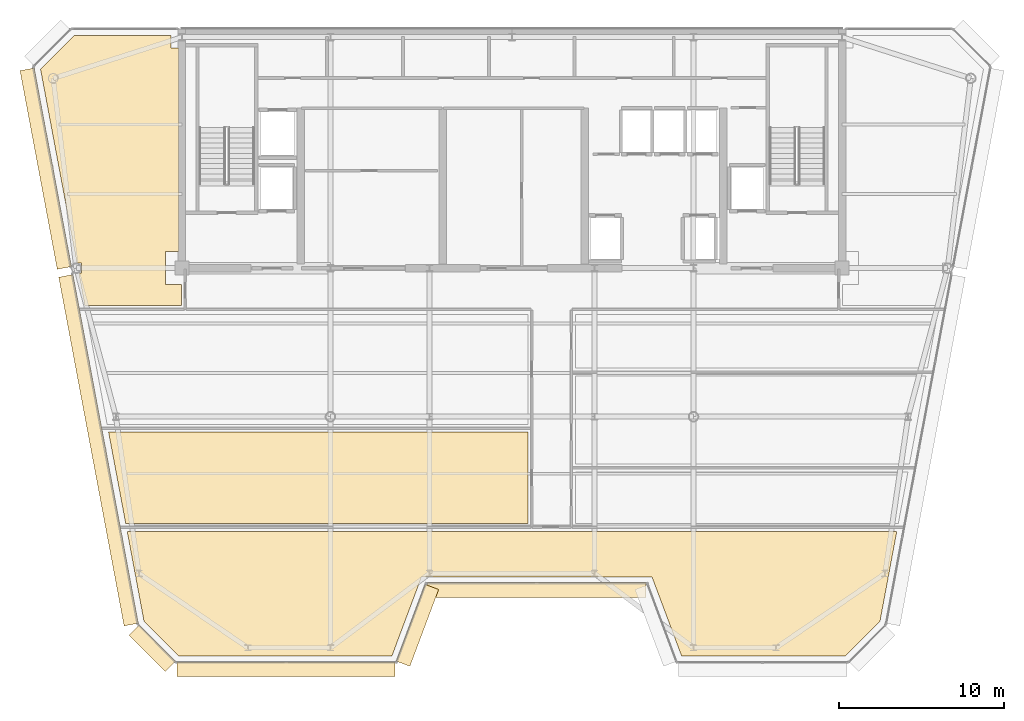
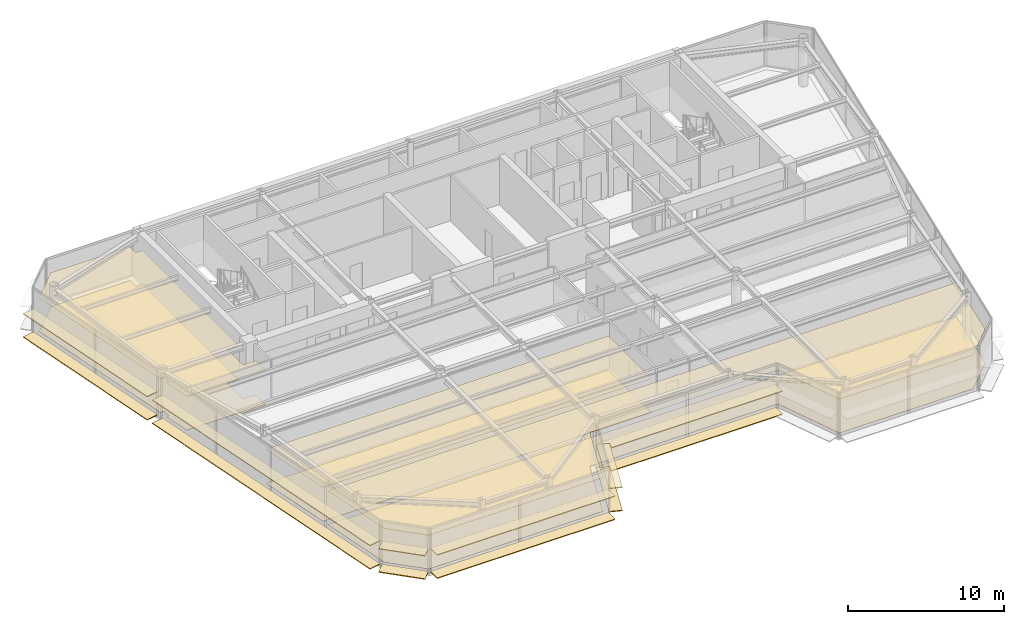
# One storey, part 14 of 20: 18 coverings.
"""IFC4 building model written with IfcOpenShell, lengths in metres."""

from ifc_helpers import new_model, si_unit, direction, frame, origin, origin_2d, place, context, subcontext, project, spatial, polyline, rectangle, outline, extrude, source, transform, mapped, material, layer, layer_set, type_object, element, save


model = new_model("IFC4")

# Units and contexts
model_context = context("Model", 3, precision=1e-05, world=origin(), true_north=direction((0.0, 1.0)))
body_context = subcontext(model_context, "Body", "Model", "MODEL_VIEW")
ifc_project = project(units=[si_unit("LENGTHUNIT", "METRE"), si_unit("AREAUNIT", "SQUARE_METRE"), si_unit("VOLUMEUNIT", "CUBIC_METRE"), si_unit("PLANEANGLEUNIT", "RADIAN"), si_unit("MASSUNIT", "GRAM", prefix="KILO")], contexts=[model_context])

# Site, building, storey
site_placement = place(None, origin())
site = spatial("IfcSite", under=ifc_project, at=site_placement, CompositionType="ELEMENT")
building_placement = place(site_placement, origin())
building = spatial("IfcBuilding", under=site, at=building_placement, Name="Vaeldorn Concourse Tower", CompositionType="ELEMENT")
storey_placement = place(building_placement, frame((0.0, 0.0, 280.199951171875)))
storey = spatial("IfcBuildingStorey", under=building, at=storey_placement, Name="L72", CompositionType="ELEMENT", Elevation=280.199951171875)

# Coverings
ifc_material_1 = material(Name="Acoustic Mineral Fibre Board", Category="gypsum")
ifc_layer_1 = layer(ifc_material_1, 0.0400390625)
ifc_layer_set_1 = layer_set([ifc_layer_1], Name="Acoustic Mineral Fibre Board")
covering_type_1 = type_object("IfcCoveringType", Name="COV-CEIL-ACOUSTIC", PredefinedType="CEILING", material=ifc_layer_set_1)
covering_1_placement = place(storey_placement, frame((0.0, 0.0, 2.650146484375)))
element("IfcCovering", 1, at=covering_1_placement, inside=storey, type_object=covering_type_1, Name="Suspended Acoustic Ceiling L72-4", PredefinedType="CEILING", context=body_context, shape_type="SweptSolid", body=[
    extrude(outline(polyline([(7.4658203125, 50.60009765625), (13.340087890625, 50.60009765625), (13.340087890625, 49.840087890625), (13.820068359375, 49.840087890625), (13.820068359375, 37.5), (13.0, 37.5), (13.0, 35.5), (13.9599609375, 35.5), (13.9599609375, 34.239990234375), (8.11767578125, 34.239990234375), (7.751220703125, 36.195068359375), (7.905029296875, 36.195068359375), (7.905029296875, 36.804931640625), (7.63671875, 36.804931640625), (5.431884765625, 48.56640625), (7.4658203125, 50.60009765625)])), origin(), (0.0, 0.0, 1.0), 0.039794921875),
])
covering_2_placement = place(storey_placement, frame((0.0, 0.0, 2.650146484375)))
element("IfcCovering", 2, at=covering_2_placement, inside=storey, type_object=covering_type_1, Name="Suspended Acoustic Ceiling L72-6", PredefinedType="CEILING", context=body_context, shape_type="SweptSolid", body=[
    extrude(outline(polyline([(34.9599609375, 26.56005859375), (34.9599609375, 21.0400390625), (10.592041015625, 21.0400390625), (9.557373046875, 26.56005859375), (34.9599609375, 26.56005859375)])), origin(), (0.0, 0.0, 1.0), 0.039794921875),
])
covering_3_placement = place(storey_placement, frame((0.0, 0.0, 2.650146484375)))
element("IfcCovering", 3, at=covering_3_placement, inside=storey, type_object=covering_type_1, Name="Suspended Acoustic Ceiling L72-11", PredefinedType="CEILING", context=body_context, shape_type="SweptSolid", body=[
    extrude(outline(polyline([(57.318115234375, 20.56005859375), (56.4521484375, 15.941162109375), (56.4521484375, 15.941162109375), (56.293701171875, 15.09521484375), (54.1982421875, 13.0), (44.277099609375, 13.0), (42.477294921875, 17.800048828125), (28.522705078125, 17.800048828125), (26.722900390625, 13.0), (13.8017578125, 13.0), (11.706298828125, 15.09521484375), (11.687255859375, 15.197509765625), (10.681884765625, 20.56005859375), (57.318115234375, 20.56005859375)])), origin(), (0.0, 0.0, 1.0), 0.039794921875),
])
ifc_material_2 = material(Name="Honed Limestone Terrazzo Flooring", Category="masonry")
ifc_layer_2 = layer(ifc_material_2, 0.0400390625)
ifc_layer_set_2 = layer_set([ifc_layer_2], Name="Honed Limestone Terrazzo Flooring")
covering_type_2 = type_object("IfcCoveringType", Name="COV-FLOOR-STONE", PredefinedType="FLOORING", material=ifc_layer_set_2)
covering_4_placement = place(storey_placement, origin())
element("IfcCovering", 4, at=covering_4_placement, inside=storey, type_object=covering_type_2, Name="Floor Finish Covering L72-4", PredefinedType="FLOORING", context=body_context, shape_type="SweptSolid", body=[
    extrude(outline(polyline([(7.4658203125, 50.60009765625), (13.340087890625, 50.60009765625), (13.340087890625, 49.840087890625), (13.820068359375, 49.840087890625), (13.820068359375, 37.5), (13.0, 37.5), (13.0, 35.5), (13.9599609375, 35.5), (13.9599609375, 34.239990234375), (8.11767578125, 34.239990234375), (7.751220703125, 36.195068359375), (7.905029296875, 36.195068359375), (7.905029296875, 36.804931640625), (7.63671875, 36.804931640625), (5.431884765625, 48.56640625), (7.4658203125, 50.60009765625)])), origin(), (0.0, 0.0, 1.0), 0.030029296875),
])
covering_5_placement = place(storey_placement, origin())
element("IfcCovering", 5, at=covering_5_placement, inside=storey, type_object=covering_type_2, Name="Floor Finish Covering L72-6", PredefinedType="FLOORING", context=body_context, shape_type="SweptSolid", body=[
    extrude(outline(polyline([(34.9599609375, 26.56005859375), (34.9599609375, 21.0400390625), (10.592041015625, 21.0400390625), (9.557373046875, 26.56005859375), (34.9599609375, 26.56005859375)])), origin(), (0.0, 0.0, 1.0), 0.030029296875),
])
covering_6_placement = place(storey_placement, origin())
element("IfcCovering", 6, at=covering_6_placement, inside=storey, type_object=covering_type_2, Name="Floor Finish Covering L72-11", PredefinedType="FLOORING", context=body_context, shape_type="SweptSolid", body=[
    extrude(outline(polyline([(57.318115234375, 20.56005859375), (56.4521484375, 15.941162109375), (56.4521484375, 15.941162109375), (56.293701171875, 15.09521484375), (54.1982421875, 13.0), (44.277099609375, 13.0), (42.477294921875, 17.800048828125), (28.522705078125, 17.800048828125), (26.722900390625, 13.0), (13.8017578125, 13.0), (11.706298828125, 15.09521484375), (11.687255859375, 15.197509765625), (10.681884765625, 20.56005859375), (57.318115234375, 20.56005859375)])), origin(), (0.0, 0.0, 1.0), 0.030029296875),
])
ifc_material_3 = material(Name="Anodised Bronze Aluminium", Category="aluminium")
ifc_layer_3 = layer(ifc_material_3, 0.06494140625)
ifc_layer_set_3 = layer_set([ifc_layer_3], Name="Anodised Bronze Aluminium")
covering_type_3 = type_object("IfcCoveringType", Name="SD-BRONZE-SUNSHADE", PredefinedType="USERDEFINED", material=ifc_layer_set_3)
shared_shape_1 = source(origin(), body_context, "Body", "SweptSolid", [
    extrude(rectangle(XDim=4.96630859375, YDim=0.8798828125, at=origin_2d()), origin(), (0.0, 0.0, 1.0), 0.06494140625),
])
for number, where, z_axis, x_axis, name in (
    (7, (28.2744140625, 14.859619140625, 0.047607421875), (0.0, 0.0, 1.0), (0.351122702609, 0.936329454686, 0.0), "Horizontal Bronze Sunshade L72-E02.1.1"),
    (8, (28.2744140625, 14.859619140625, 1.86767578125), (0.0, 0.0, 1.0), (0.351122702609, 0.936329454686, 0.0), "Horizontal Bronze Sunshade L72-E02.1.2"),
):
    element("IfcCovering", number, at=place(storey_placement, frame(where, z_axis=z_axis, x_axis=x_axis)), inside=storey, type_object=covering_type_3, Name=name, ObjectType="SUNSHADE", PredefinedType="USERDEFINED", context=body_context, shape_type="MappedRepresentation", body=[
        mapped(shared_shape_1, transform((0.0, 0.0, 0.0), scale=1.0)),
    ])
shared_shape_2 = source(origin(), body_context, "Body", "SweptSolid", [
    extrude(rectangle(XDim=13.239990234375, YDim=0.8798828125, at=origin_2d()), origin(), (0.0, 0.0, 1.0), 0.06494140625),
])
for number, where, z_axis, x_axis, name in (
    (9, (35.5, 17.0, 0.047607421875), (0.0, 0.0, 1.0), (1.0, 0.0, 0.0), "Horizontal Bronze Sunshade L72-E03.1.1"),
    (10, (35.5, 17.0, 1.86767578125), (0.0, 0.0, 1.0), (1.0, 0.0, 0.0), "Horizontal Bronze Sunshade L72-E03.1.2"),
):
    element("IfcCovering", number, at=place(storey_placement, frame(where, z_axis=z_axis, x_axis=x_axis)), inside=storey, type_object=covering_type_3, Name=name, ObjectType="SUNSHADE", PredefinedType="USERDEFINED", context=body_context, shape_type="MappedRepresentation", body=[
        mapped(shared_shape_2, transform((0.0, 0.0, 0.0), scale=1.0)),
    ])
shared_shape_3 = source(origin(), body_context, "Body", "SweptSolid", [
    extrude(rectangle(XDim=3.0927734375, YDim=0.8798828125, at=origin_2d()), origin(), (0.0, 0.0, 1.0), 0.06494140625),
])
for number, where, z_axis, x_axis, name in (
    (11, (12.203125, 13.46728515625, 0.047607421875), (0.0, 0.0, 1.0), (0.707106781187, -0.707106781187, 0.0), "Horizontal Bronze Sunshade L72-E12.1.1"),
    (12, (12.203125, 13.46728515625, 1.86767578125), (0.0, 0.0, 1.0), (0.707106781187, -0.707106781187, 0.0), "Horizontal Bronze Sunshade L72-E12.1.2"),
):
    element("IfcCovering", number, at=place(storey_placement, frame(where, z_axis=z_axis, x_axis=x_axis)), inside=storey, type_object=covering_type_3, Name=name, ObjectType="SUNSHADE", PredefinedType="USERDEFINED", context=body_context, shape_type="MappedRepresentation", body=[
        mapped(shared_shape_3, transform((0.0, 0.0, 0.0), scale=1.0)),
    ])
shared_shape_4 = source(origin(), body_context, "Body", "SweptSolid", [
    extrude(rectangle(XDim=21.49560546875, YDim=0.8798828125, at=origin_2d()), origin(), (0.0, 0.0, 1.0), 0.06494140625),
])
for number, where, z_axis, x_axis, name in (
    (13, (8.94775390625, 25.46875, 0.047607421875), (0.0, 0.0, 1.0), (0.1842429853, -0.98288072642, 0.0), "Horizontal Bronze Sunshade L72-E11.2.1"),
    (14, (8.94775390625, 25.46875, 1.86767578125), (0.0, 0.0, 1.0), (0.1842429853, -0.98288072642, 0.0), "Horizontal Bronze Sunshade L72-E11.2.2"),
):
    element("IfcCovering", number, at=place(storey_placement, frame(where, z_axis=z_axis, x_axis=x_axis)), inside=storey, type_object=covering_type_3, Name=name, ObjectType="SUNSHADE", PredefinedType="USERDEFINED", context=body_context, shape_type="MappedRepresentation", body=[
        mapped(shared_shape_4, transform((0.0, 0.0, 0.0), scale=1.0)),
    ])
shared_shape_5 = source(origin(), body_context, "Body", "SweptSolid", [
    extrude(rectangle(XDim=12.241943359375, YDim=0.8798828125, at=origin_2d()), origin(), (0.0, 0.0, 1.0), 0.06494140625),
])
for number, where, z_axis, x_axis, name in (
    (15, (5.749267578125, 42.531494140625, 0.047607421875), (0.0, 0.0, 1.0), (0.1842429853, -0.98288072642, 0.0), "Horizontal Bronze Sunshade L72-E11.1.1"),
    (16, (5.749267578125, 42.531494140625, 1.86767578125), (0.0, 0.0, 1.0), (0.1842429853, -0.98288072642, 0.0), "Horizontal Bronze Sunshade L72-E11.1.2"),
):
    element("IfcCovering", number, at=place(storey_placement, frame(where, z_axis=z_axis, x_axis=x_axis)), inside=storey, type_object=covering_type_3, Name=name, ObjectType="SUNSHADE", PredefinedType="USERDEFINED", context=body_context, shape_type="MappedRepresentation", body=[
        mapped(shared_shape_5, transform((0.0, 0.0, 0.0), scale=1.0)),
    ])
shared_shape_6 = source(origin(), body_context, "Body", "SweptSolid", [
    extrude(rectangle(XDim=13.2041015625, YDim=0.8798828125, at=origin_2d()), origin(), (0.0, 0.0, 1.0), 0.06494140625),
])
for number, where, z_axis, x_axis, name in (
    (17, (20.318115234375, 12.199951171875, 0.047607421875), (0.0, 0.0, 1.0), (1.0, 0.0, 0.0), "Horizontal Bronze Sunshade L72-E01.1.1"),
    (18, (20.318115234375, 12.199951171875, 1.86767578125), (0.0, 0.0, 1.0), (1.0, 0.0, 0.0), "Horizontal Bronze Sunshade L72-E01.1.2"),
):
    element("IfcCovering", number, at=place(storey_placement, frame(where, z_axis=z_axis, x_axis=x_axis)), inside=storey, type_object=covering_type_3, Name=name, ObjectType="SUNSHADE", PredefinedType="USERDEFINED", context=body_context, shape_type="MappedRepresentation", body=[
        mapped(shared_shape_6, transform((0.0, 0.0, 0.0), scale=1.0)),
    ])

save(model, "model.ifc")
